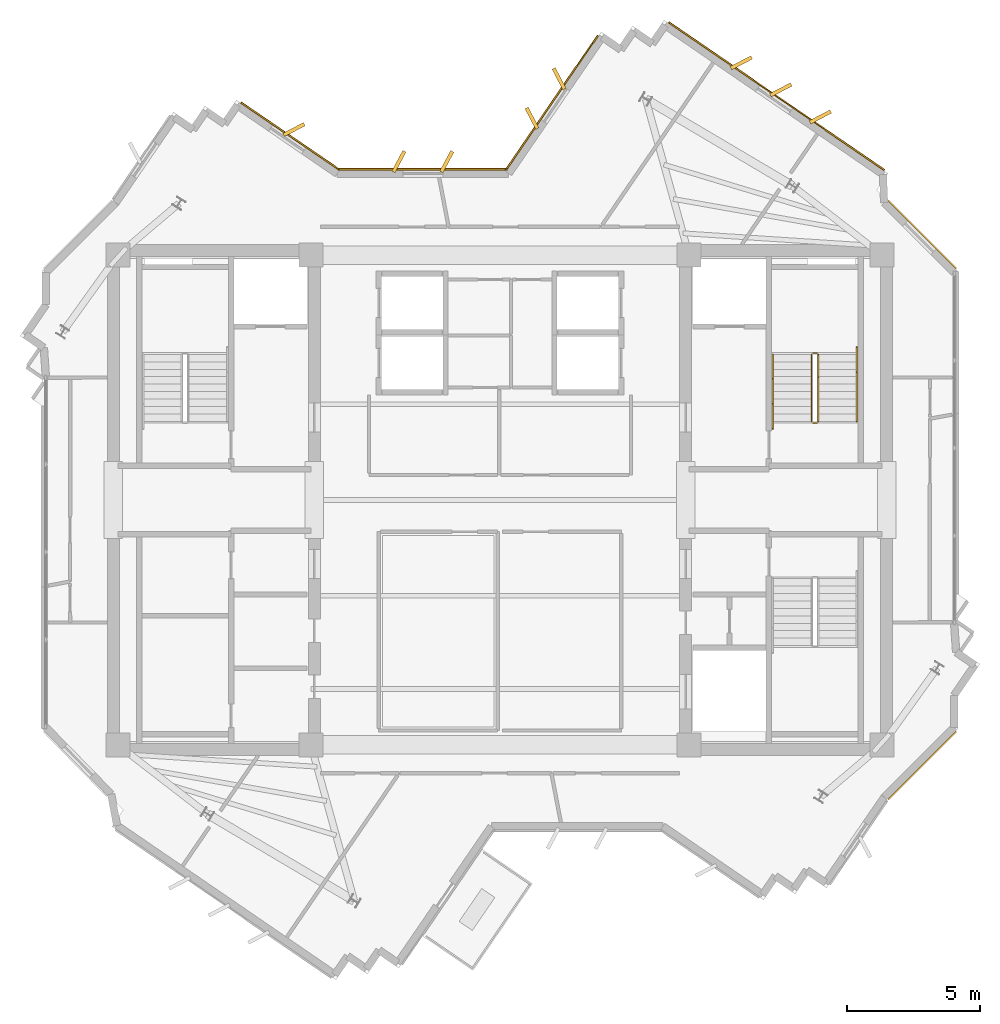
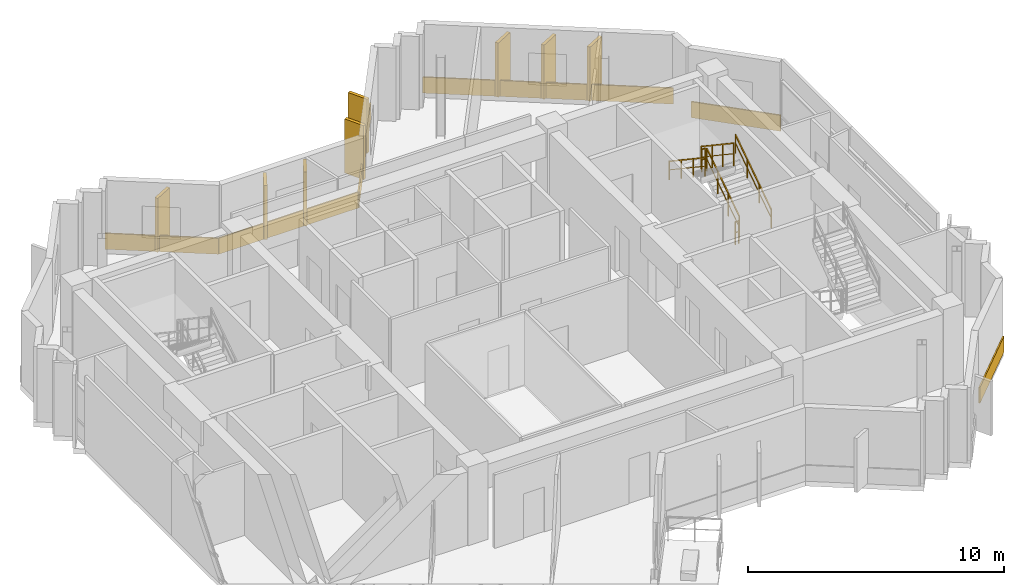
# One storey, part 11 of 11: 14 coverings, 6 railings.
"""IFC4 building model written with IfcOpenShell, lengths in metres."""

from ifc_helpers import new_model, si_unit, direction, frame, origin, origin_2d, place, context, subcontext, project, spatial, rectangle, extrude, source, transform, mapped, material, layer, layer_set, type_object, element, save


model = new_model("IFC4")

# Units and contexts
model_context = context("Model", 3, precision=1e-05, world=origin(), true_north=direction((0.0, 1.0)))
body_context = subcontext(model_context, "Body", "Model", "MODEL_VIEW")
ifc_project = project(units=[si_unit("LENGTHUNIT", "METRE"), si_unit("AREAUNIT", "SQUARE_METRE"), si_unit("VOLUMEUNIT", "CUBIC_METRE"), si_unit("PLANEANGLEUNIT", "RADIAN"), si_unit("MASSUNIT", "GRAM", prefix="KILO")], contexts=[model_context])

# Site, building, storey
site_placement = place(None, origin())
site = spatial("IfcSite", under=ifc_project, at=site_placement, CompositionType="ELEMENT")
building_placement = place(site_placement, origin())
building = spatial("IfcBuilding", under=site, at=building_placement, Name="Zahravan Cultural Tower", CompositionType="ELEMENT")
storey_placement = place(building_placement, frame((0.0, 0.0, 331.050048828125)))
storey = spatial("IfcBuildingStorey", under=building, at=storey_placement, Name="L80", CompositionType="ELEMENT", Elevation=331.050048828125)

# Railings
ifc_material_1 = material(Name="Steel ASTM A572 Grade 50", Category="steel")
railing_type_1 = type_object("IfcRailingType", Name="RL-STAIR-GRD1150", PredefinedType="BALUSTRADE", material=ifc_material_1)
railing_1_placement = place(storey_placement, frame((47.949951171875, 29.949951171875, 0.1875)))
element("IfcRailing", 1, at=railing_1_placement, inside=storey, type_object=railing_type_1, Name="L80 ST-E1 stair guard 1", PredefinedType="BALUSTRADE", context=body_context, shape_type="SweptSolid", body=[
    extrude(rectangle(XDim=0.05, YDim=0.05, at=origin_2d()), frame((0.0, 0.0, 1.0751953125), z_axis=(0.0, 0.830909170722, 0.55640807867), x_axis=(-1.0, 0.0, 0.0)), (0.0, 0.0, 1.0), 3.032958984375),
    extrude(rectangle(XDim=0.032, YDim=0.032, at=origin_2d()), frame((0.0, 0.0, 0.572021484375), z_axis=(0.0, 0.830909170722, 0.55640807867), x_axis=(-1.0, 0.0, 0.0)), (0.0, 0.0, 1.0), 3.032958984375),
    extrude(rectangle(XDim=0.04, YDim=0.04, at=origin_2d()), origin(), (0.0, 0.0, 1.0), 1.10009765625),
    extrude(rectangle(XDim=0.04, YDim=0.04, at=origin_2d()), frame((0.0, 0.840087890625, 0.5625)), (0.0, 0.0, 1.0), 1.10009765625),
    extrude(rectangle(XDim=0.04, YDim=0.04, at=origin_2d()), frame((0.0, 1.679931640625, 1.125)), (0.0, 0.0, 1.0), 1.10009765625),
    extrude(rectangle(XDim=0.04, YDim=0.04, at=origin_2d()), frame((0.0, 2.52001953125, 1.6875)), (0.0, 0.0, 1.0), 1.10009765625),
])
railing_2_placement = place(storey_placement, frame((47.89990234375, 32.52001953125, 1.875)))
element("IfcRailing", 2, at=railing_2_placement, inside=storey, type_object=railing_type_1, Name="L80 ST-E1 stair guard 2", PredefinedType="BALUSTRADE", context=body_context, shape_type="SweptSolid", body=[
    extrude(rectangle(XDim=0.05, YDim=0.05, at=origin_2d()), frame((0.0, 0.0, 1.0751953125), z_axis=(-1.0, 0.0, 0.0), x_axis=(0.0, -1.0, 0.0)), (0.0, 0.0, 1.0), 0.14990234375),
    extrude(rectangle(XDim=0.032, YDim=0.032, at=origin_2d()), frame((0.0, 0.0, 0.572021484375), z_axis=(-1.0, 0.0, 0.0), x_axis=(0.0, -1.0, 0.0)), (0.0, 0.0, 1.0), 0.14990234375),
    extrude(rectangle(XDim=0.04, YDim=0.04, at=origin_2d()), origin(), (0.0, 0.0, 1.0), 1.10009765625),
    extrude(rectangle(XDim=0.04, YDim=0.04, at=origin_2d()), frame((-0.14990234375, 0.0, 0.0)), (0.0, 0.0, 1.0), 1.10009765625),
])
railing_3_placement = place(storey_placement, frame((47.699951171875, 32.469970703125, 2.0625)))
element("IfcRailing", 3, at=railing_3_placement, inside=storey, type_object=railing_type_1, Name="L80 ST-E1 stair guard 3", PredefinedType="BALUSTRADE", context=body_context, shape_type="SweptSolid", body=[
    extrude(rectangle(XDim=0.05, YDim=0.05, at=origin_2d()), frame((0.0, 0.0, 1.0751953125), z_axis=(0.0, -0.830909170722, 0.55640807867), x_axis=(1.0, 0.0, 0.0)), (0.0, 0.0, 1.0), 3.032958984375),
    extrude(rectangle(XDim=0.032, YDim=0.032, at=origin_2d()), frame((0.0, 0.0, 0.572021484375), z_axis=(0.0, -0.830909170722, 0.55640807867), x_axis=(1.0, 0.0, 0.0)), (0.0, 0.0, 1.0), 3.032958984375),
    extrude(rectangle(XDim=0.04, YDim=0.04, at=origin_2d()), origin(), (0.0, 0.0, 1.0), 1.10009765625),
    extrude(rectangle(XDim=0.04, YDim=0.04, at=origin_2d()), frame((0.0, -0.840087890625, 0.5625)), (0.0, 0.0, 1.0), 1.10009765625),
    extrude(rectangle(XDim=0.04, YDim=0.04, at=origin_2d()), frame((0.0, -1.679931640625, 1.125)), (0.0, 0.0, 1.0), 1.10009765625),
    extrude(rectangle(XDim=0.04, YDim=0.04, at=origin_2d()), frame((0.0, -2.52001953125, 1.6875)), (0.0, 0.0, 1.0), 1.10009765625),
])
railing_4_placement = place(storey_placement, frame((47.89990234375, 29.89990234375, 0.0)))
element("IfcRailing", 4, at=railing_4_placement, inside=storey, type_object=railing_type_1, Name="L80 ST-E1 stair guard 4", PredefinedType="BALUSTRADE", context=body_context, shape_type="SweptSolid", body=[
    extrude(rectangle(XDim=0.05, YDim=0.05, at=origin_2d()), frame((0.0, 0.0, 1.0751953125), z_axis=(-1.0, 0.0, 0.0), x_axis=(0.0, -1.0, 0.0)), (0.0, 0.0, 1.0), 0.14990234375),
    extrude(rectangle(XDim=0.032, YDim=0.032, at=origin_2d()), frame((0.0, 0.0, 0.572021484375), z_axis=(-1.0, 0.0, 0.0), x_axis=(0.0, -1.0, 0.0)), (0.0, 0.0, 1.0), 0.14990234375),
    extrude(rectangle(XDim=0.04, YDim=0.04, at=origin_2d()), origin(), (0.0, 0.0, 1.0), 1.10009765625),
    extrude(rectangle(XDim=0.04, YDim=0.04, at=origin_2d()), frame((-0.14990234375, 0.0, 0.0)), (0.0, 0.0, 1.0), 1.10009765625),
])
railing_type_2 = type_object("IfcRailingType", Name="RL-STAIR-HR900", PredefinedType="HANDRAIL", material=ifc_material_1)
railing_5_placement = place(storey_placement, frame((49.39990234375, 29.949951171875, 0.1875)))
element("IfcRailing", 5, at=railing_5_placement, inside=storey, type_object=railing_type_2, Name="L80 ST-E1 stair handrail 1", PredefinedType="HANDRAIL", context=body_context, shape_type="SweptSolid", body=[
    extrude(rectangle(XDim=0.05, YDim=0.05, at=origin_2d()), frame((0.0, 0.0, 0.875), z_axis=(0.0, 0.830911662861, 0.55640435703), x_axis=(-1.0, 0.0, 0.0)), (0.0, 0.0, 1.0), 3.369873046875),
    extrude(rectangle(XDim=0.032, YDim=0.032, at=origin_2d()), frame((0.0, 0.0, 0.468017578125), z_axis=(0.0, 0.830911662861, 0.55640435703), x_axis=(-1.0, 0.0, 0.0)), (0.0, 0.0, 1.0), 3.369873046875),
    extrude(rectangle(XDim=0.04, YDim=0.04, at=origin_2d()), origin(), (0.0, 0.0, 1.0), 0.89990234375),
    extrude(rectangle(XDim=0.04, YDim=0.04, at=origin_2d()), frame((0.0, 0.933349609375, 0.625)), (0.0, 0.0, 1.0), 0.89990234375),
    extrude(rectangle(XDim=0.04, YDim=0.04, at=origin_2d()), frame((0.0, 1.86669921875, 1.25)), (0.0, 0.0, 1.0), 0.89990234375),
    extrude(rectangle(XDim=0.04, YDim=0.04, at=origin_2d()), frame((0.0, 2.800048828125, 1.875)), (0.0, 0.0, 1.0), 0.89990234375),
])
railing_6_placement = place(storey_placement, frame((46.25, 32.469970703125, 2.0625)))
element("IfcRailing", 6, at=railing_6_placement, inside=storey, type_object=railing_type_2, Name="L80 ST-E1 stair handrail 2", PredefinedType="HANDRAIL", context=body_context, shape_type="SweptSolid", body=[
    extrude(rectangle(XDim=0.05, YDim=0.05, at=origin_2d()), frame((0.0, 0.0, 0.875), z_axis=(0.0, -0.830911662861, 0.55640435703), x_axis=(1.0, 0.0, 0.0)), (0.0, 0.0, 1.0), 3.369873046875),
    extrude(rectangle(XDim=0.032, YDim=0.032, at=origin_2d()), frame((0.0, 0.0, 0.468017578125), z_axis=(0.0, -0.830911662861, 0.55640435703), x_axis=(1.0, 0.0, 0.0)), (0.0, 0.0, 1.0), 3.369873046875),
    extrude(rectangle(XDim=0.04, YDim=0.04, at=origin_2d()), origin(), (0.0, 0.0, 1.0), 0.89990234375),
    extrude(rectangle(XDim=0.04, YDim=0.04, at=origin_2d()), frame((0.0, -0.933349609375, 0.625)), (0.0, 0.0, 1.0), 0.89990234375),
    extrude(rectangle(XDim=0.04, YDim=0.04, at=origin_2d()), frame((0.0, -1.86669921875, 1.25)), (0.0, 0.0, 1.0), 0.89990234375),
    extrude(rectangle(XDim=0.04, YDim=0.04, at=origin_2d()), frame((0.0, -2.800048828125, 1.875)), (0.0, 0.0, 1.0), 0.89990234375),
])

# Coverings
ifc_material_2 = material(Name="Terracotta ceramic cladding", Category="masonry")
ifc_layer = layer(ifc_material_2, 0.06005859375)
ifc_layer_set = layer_set([ifc_layer], Name="Terracotta ceramic cladding")
covering_type = type_object("IfcCoveringType", Name="COV-CLAD-TC60", PredefinedType="CLADDING", material=ifc_layer_set)
shared_shape_1 = source(origin(), body_context, "Body", "SweptSolid", [
    extrude(rectangle(XDim=9.820068359375, YDim=0.06005859375, at=origin_2d()), origin(), (0.0, 0.0, 1.0), 0.760009765625),
])
covering_1_placement = place(storey_placement, frame((46.386962890625, 42.169677734375, 0.02001953125), z_axis=(0.0, 0.0, 1.0), x_axis=(0.825123358687, -0.564952602392, 0.0)))
element("IfcCovering", 7, at=covering_1_placement, inside=storey, type_object=covering_type, Name="L80 Terracotta Spandrel Cladding 19", PredefinedType="CLADDING", context=body_context, shape_type="MappedRepresentation", body=[
    mapped(shared_shape_1, transform((0.0, 0.0, 0.0), x_axis=(1.0, 0.0, 0.0), y_axis=(0.0, 1.0, 0.0), z_axis=(0.0, 0.0, 1.0), scale=1.0)),
])
shared_shape_2 = source(origin(), body_context, "Body", "SweptSolid", [
    extrude(rectangle(XDim=0.8798828125, YDim=0.139892578125, at=origin_2d()), origin(), (0.0, 0.0, 1.0), 2.580078125),
])
for number, where, z_axis, x_axis, name in (
    (8, (28.26171875, 40.91552734375, 0.0498046875), (0.0, 0.0, 1.0), (0.886203579231, 0.46329603512, 0.0), "L80 Herringbone Terracotta Fin 02"),
    (9, (32.202880859375, 39.7099609375, 0.0498046875), (0.0, 0.0, 1.0), (0.469471562786, 0.882947592859, 0.0), "L80 Herringbone Terracotta Fin 03"),
    (10, (34.0029296875, 39.7099609375, 0.0498046875), (0.0, 0.0, 1.0), (0.469471562786, 0.882947592859, 0.0), "L80 Herringbone Terracotta Fin 04"),
    (11, (37.20068359375, 41.33837890625, 0.0498046875), (0.0, 0.0, 1.0), (-0.46329603512, 0.886203579231, 0.0), "L80 Herringbone Terracotta Fin 05"),
    (12, (38.2177734375, 42.823486328125, 0.0498046875), (0.0, 0.0, 1.0), (-0.46329603512, 0.886203579231, 0.0), "L80 Herringbone Terracotta Fin 06"),
    (13, (45.062744140625, 43.421875, 0.0498046875), (0.0, 0.0, 1.0), (0.886195493055, 0.46331150222, 0.0), "L80 Herringbone Terracotta Fin 07"),
    (14, (46.5478515625, 42.40478515625, 0.0498046875), (0.0, 0.0, 1.0), (0.886195493055, 0.46331150222, 0.0), "L80 Herringbone Terracotta Fin 08"),
    (15, (48.033203125, 41.387939453125, 0.0498046875), (0.0, 0.0, 1.0), (0.886195493055, 0.46331150222, 0.0), "L80 Herringbone Terracotta Fin 09"),
):
    element("IfcCovering", number, at=place(storey_placement, frame(where, z_axis=z_axis, x_axis=x_axis)), inside=storey, type_object=covering_type, Name=name, PredefinedType="CLADDING", context=body_context, shape_type="MappedRepresentation", body=[
        mapped(shared_shape_2, transform((0.0, 0.0, 0.0), x_axis=(1.0, 0.0, 0.0), y_axis=(0.0, 1.0, 0.0), z_axis=(0.0, 0.0, 1.0), scale=1.0)),
    ])
shared_shape_3 = source(origin(), body_context, "Body", "SweptSolid", [
    extrude(rectangle(XDim=3.609619140625, YDim=0.06005859375, at=origin_2d()), origin(), (0.0, 0.0, 1.0), 0.760009765625),
])
covering_2_placement = place(storey_placement, frame((51.865234375, 17.02978515625, 0.02001953125), z_axis=(0.0, 0.0, 1.0), x_axis=(-0.707106781187, -0.707106781187, 0.0)))
element("IfcCovering", 16, at=covering_2_placement, inside=storey, type_object=covering_type, Name="L80 Terracotta Spandrel Cladding 26", PredefinedType="CLADDING", context=body_context, shape_type="MappedRepresentation", body=[
    mapped(shared_shape_3, transform((0.0, 0.0, 0.0), x_axis=(1.0, 0.0, 0.0), y_axis=(0.0, 1.0, 0.0), z_axis=(0.0, 0.0, 1.0), scale=1.0)),
])
shared_shape_4 = source(origin(), body_context, "Body", "SweptSolid", [
    extrude(rectangle(XDim=4.4462890625, YDim=0.06005859375, at=origin_2d()), origin(), (0.0, 0.0, 1.0), 0.760009765625),
])
covering_3_placement = place(storey_placement, frame((28.1005859375, 40.680419921875, 0.02001953125), z_axis=(0.0, 0.0, 1.0), x_axis=(0.825113498278, -0.564967003425, 0.0)))
element("IfcCovering", 17, at=covering_3_placement, inside=storey, type_object=covering_type, Name="L80 Terracotta Spandrel Cladding 12", PredefinedType="CLADDING", context=body_context, shape_type="MappedRepresentation", body=[
    mapped(shared_shape_4, transform((0.0, 0.0, 0.0), x_axis=(1.0, 0.0, 0.0), y_axis=(0.0, 1.0, 0.0), z_axis=(0.0, 0.0, 1.0), scale=1.0)),
])
shared_shape_5 = source(origin(), body_context, "Body", "SweptSolid", [
    extrude(rectangle(XDim=6.340087890625, YDim=0.06005859375, at=origin_2d()), origin(), (0.0, 0.0, 1.0), 0.760009765625),
])
covering_4_placement = place(storey_placement, frame((33.10302734375, 39.425048828125, 0.02001953125), z_axis=(0.0, 0.0, 1.0), x_axis=(1.0, 0.0, 0.0)))
element("IfcCovering", 18, at=covering_4_placement, inside=storey, type_object=covering_type, Name="L80 Terracotta Spandrel Cladding 13", PredefinedType="CLADDING", context=body_context, shape_type="MappedRepresentation", body=[
    mapped(shared_shape_5, transform((0.0, 0.0, 0.0), x_axis=(1.0, 0.0, 0.0), y_axis=(0.0, 1.0, 0.0), z_axis=(0.0, 0.0, 1.0), scale=1.0)),
])
shared_shape_6 = source(origin(), body_context, "Body", "SweptSolid", [
    extrude(rectangle(XDim=6.12158203125, YDim=0.06005859375, at=origin_2d()), origin(), (0.0, 0.0, 1.0), 0.760009765625),
])
covering_5_placement = place(storey_placement, frame((37.9443359375, 41.919921875, 0.02001953125), z_axis=(0.0, 0.0, 1.0), x_axis=(0.564967003425, 0.825113498278, 0.0)))
element("IfcCovering", 19, at=covering_5_placement, inside=storey, type_object=covering_type, Name="L80 Terracotta Spandrel Cladding 14", PredefinedType="CLADDING", context=body_context, shape_type="MappedRepresentation", body=[
    mapped(shared_shape_6, transform((0.0, 0.0, 0.0), x_axis=(1.0, 0.0, 0.0), y_axis=(0.0, 1.0, 0.0), z_axis=(0.0, 0.0, 1.0), scale=1.0)),
])
shared_shape_7 = source(origin(), body_context, "Body", "SweptSolid", [
    extrude(rectangle(XDim=3.615966796875, YDim=0.06005859375, at=origin_2d()), origin(), (0.0, 0.0, 1.0), 0.760009765625),
])
covering_6_placement = place(storey_placement, frame((51.86279296875, 36.972412109375, 0.02001953125), z_axis=(0.0, 0.0, 1.0), x_axis=(0.707106781187, -0.707106781187, 0.0)))
element("IfcCovering", 20, at=covering_6_placement, inside=storey, type_object=covering_type, Name="L80 Terracotta Spandrel Cladding 21", PredefinedType="CLADDING", context=body_context, shape_type="MappedRepresentation", body=[
    mapped(shared_shape_7, transform((0.0, 0.0, 0.0), x_axis=(1.0, 0.0, 0.0), y_axis=(0.0, 1.0, 0.0), z_axis=(0.0, 0.0, 1.0), scale=1.0)),
])

save(model, "model.ifc")
